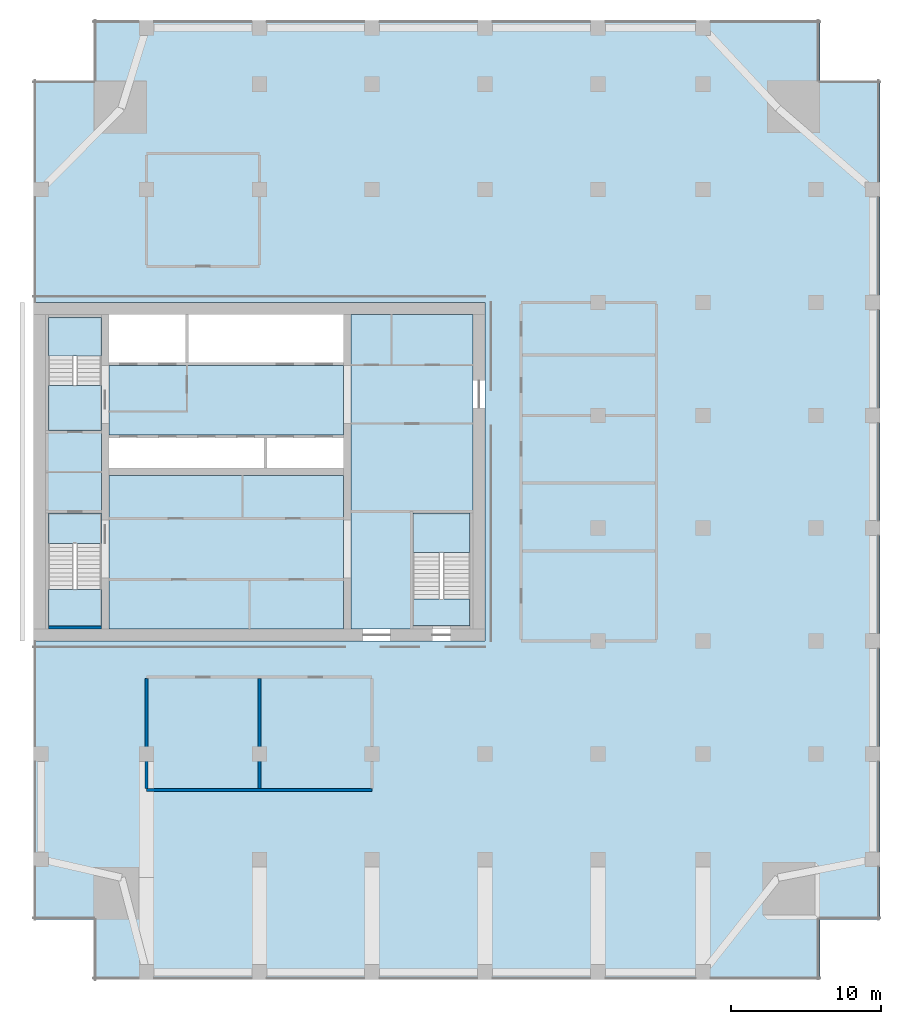
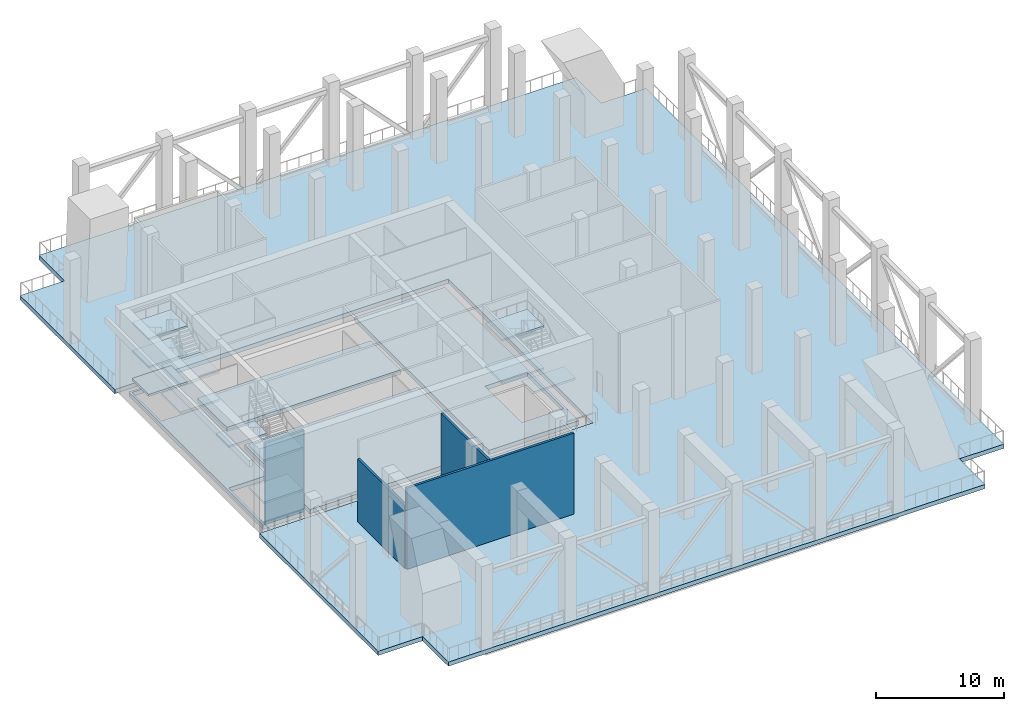
# One storey, part 2 of 12: 16 slabs, 4 walls, 3 elements without a shape of their own.
"""IFC4 building model written with IfcOpenShell, lengths in metres."""

from ifc_helpers import new_model, si_unit, direction, frame, frame_2d, origin, place, context, subcontext, project, spatial, polyline, rectangle, outline, extrude, material, layer, layer_set, type_object, element, aggregate, save


model = new_model("IFC4")

# Units and contexts
model_context = context("Model", 3, precision=1e-05, world=origin(), true_north=direction((0.0, 1.0)))
body_context = subcontext(model_context, "Body", "Model", "MODEL_VIEW")
ifc_project = project(units=[si_unit("LENGTHUNIT", "METRE"), si_unit("AREAUNIT", "SQUARE_METRE"), si_unit("VOLUMEUNIT", "CUBIC_METRE"), si_unit("PLANEANGLEUNIT", "RADIAN"), si_unit("MASSUNIT", "GRAM", prefix="KILO")], contexts=[model_context])

# Site, building, storey
site_placement = place(None, origin())
site = spatial("IfcSite", under=ifc_project, at=site_placement, CompositionType="ELEMENT")
building_placement = place(site_placement, origin())
building = spatial("IfcBuilding", under=site, at=building_placement, Name="Tamorin Gate", CompositionType="ELEMENT")
storey_placement = place(building_placement, frame((0.0, 0.0, 166.199951171875)))
storey = spatial("IfcBuildingStorey", under=building, at=storey_placement, Name="L41", CompositionType="ELEMENT", Elevation=166.199951171875)

# Slabs
ifc_material_1 = material(Name="Concrete C40/50", Category="concrete")
ifc_layer_1 = layer(ifc_material_1, 0.409912109375)
ifc_layer_set_1 = layer_set([ifc_layer_1], Name="Core floor slab 410 C40/50")
slab_type_1 = type_object("IfcSlabType", Name="Core floor slab 410 C40/50", PredefinedType="FLOOR", material=ifc_layer_set_1)
slab_1_placement = place(storey_placement, frame((0.0, 0.0, -0.409912109375)))
element("IfcSlab", 1, at=slab_1_placement, inside=storey, type_object=slab_type_1, Name="Core floor L41", PredefinedType="FLOOR", context=body_context, shape_type="SweptSolid", body=[
    extrude(outline(polyline([(51.10009765625, 81.699951171875), (59.199951171875, 81.699951171875), (59.199951171875, 60.800048828125), (51.10009765625, 60.800048828125), (51.10009765625, 81.699951171875)]), holes=[polyline([(55.199951171875, 62.800048828125), (59.0, 62.800048828125), (59.0, 68.5), (55.199951171875, 68.5), (55.199951171875, 62.800048828125)])]), origin(), (0.0, 0.0, 1.0), 0.409912109375),
])
slab_2_placement = place(storey_placement, frame((0.0, 0.0, -0.409912109375)))
element("IfcSlab", 2, at=slab_2_placement, inside=storey, type_object=slab_type_1, Name="Core floor L41", PredefinedType="FLOOR", context=body_context, shape_type="SweptSolid", body=[
    extrude(outline(polyline([(50.60009765625, 71.0), (50.60009765625, 60.800048828125), (35.0, 60.800048828125), (35.0, 71.0), (50.60009765625, 71.0)])), origin(), (0.0, 0.0, 1.0), 0.409912109375),
])
slab_3_placement = place(storey_placement, frame((0.0, 0.0, -0.409912109375)))
element("IfcSlab", 3, at=slab_3_placement, inside=storey, type_object=slab_type_1, Name="Core floor L41", PredefinedType="FLOOR", context=body_context, shape_type="SweptSolid", body=[
    extrude(outline(polyline([(50.60009765625, 73.699951171875), (35.0, 73.699951171875), (35.0, 78.300048828125), (50.60009765625, 78.300048828125), (50.60009765625, 73.699951171875)])), origin(), (0.0, 0.0, 1.0), 0.409912109375),
])
slab_4_placement = place(storey_placement, frame((0.0, 0.0, -0.409912109375)))
element("IfcSlab", 4, at=slab_4_placement, inside=storey, type_object=slab_type_1, Name="Core floor L41", PredefinedType="FLOOR", context=body_context, shape_type="SweptSolid", body=[
    extrude(outline(polyline([(34.5, 60.800048828125), (30.800048828125, 60.800048828125), (30.800048828125, 81.699951171875), (34.5, 81.699951171875), (34.5, 81.5), (31.0, 81.5), (31.0, 77.0), (34.5, 77.0), (34.5, 66.5), (31.0, 66.5), (31.0, 61.0), (34.5, 61.0), (34.5, 60.800048828125)])), origin(), (0.0, 0.0, 1.0), 0.409912109375),
])

# Stair, slabs
stair_type = type_object("IfcStairType", Name="Exit stair", PredefinedType="HALF_TURN_STAIR", material=ifc_material_1)
stair_1_placement = place(storey_placement, origin())
stair_1 = element("IfcStair", 5, at=stair_1_placement, inside=storey, type_object=stair_type, Name="L41 stair ST1", PredefinedType="HALF_TURN_STAIR")
ifc_layer_2 = layer(ifc_material_1, 0.199951171875)
ifc_layer_set_2 = layer_set([ifc_layer_2], Name="Exit stair landing 200")
slab_type_2 = type_object("IfcSlabType", Name="Exit stair landing 200", PredefinedType="LANDING", material=ifc_layer_set_2)
slab_5_placement = place(storey_placement, frame((0.0, 0.0, 1.800048828125)))
slab_5 = element("IfcSlab", 6, at=slab_5_placement, type_object=slab_type_2, Name="ST1 landing 1", PredefinedType="LANDING", context=body_context, shape_type="SweptSolid", body=[
    extrude(outline(polyline([(31.0, 63.419921875), (31.0, 61.0), (34.5, 61.0), (34.5, 63.419921875), (31.0, 63.419921875)])), origin(), (0.0, 0.0, 1.0), 0.199951171875),
])
slab_6_placement = place(storey_placement, frame((0.0, 0.0, 3.800048828125)))
slab_6 = element("IfcSlab", 7, at=slab_6_placement, type_object=slab_type_2, Name="ST1 landing 2", PredefinedType="LANDING", context=body_context, shape_type="SweptSolid", body=[
    extrude(outline(polyline([(31.0, 68.5), (31.0, 66.5), (34.5, 66.5), (34.5, 68.5), (31.0, 68.5)])), origin(), (0.0, 0.0, 1.0), 0.199951171875),
])
slab_7_placement = place(storey_placement, frame((0.0, 0.0, 5.800048828125)))
slab_7 = element("IfcSlab", 8, at=slab_7_placement, type_object=slab_type_2, Name="ST1 landing 3", PredefinedType="LANDING", context=body_context, shape_type="SweptSolid", body=[
    extrude(outline(polyline([(31.0, 63.419921875), (31.0, 61.0), (34.5, 61.0), (34.5, 63.419921875), (31.0, 63.419921875)])), origin(), (0.0, 0.0, 1.0), 0.199951171875),
])
aggregate(stair_1, [slab_5, slab_6, slab_7])

stair_2_placement = place(storey_placement, origin())
stair_2 = element("IfcStair", 9, at=stair_2_placement, inside=storey, type_object=stair_type, Name="L41 stair ST2", PredefinedType="HALF_TURN_STAIR")
slab_8_placement = place(storey_placement, frame((0.0, 0.0, 1.13330078125)))
slab_8 = element("IfcSlab", 10, at=slab_8_placement, type_object=slab_type_2, Name="ST2 landing 1", PredefinedType="LANDING", context=body_context, shape_type="SweptSolid", body=[
    extrude(outline(polyline([(34.5, 78.9599609375), (34.5, 81.5), (31.0, 81.5), (31.0, 78.9599609375), (34.5, 78.9599609375)])), origin(), (0.0, 0.0, 1.0), 0.2001953125),
])
slab_9_placement = place(storey_placement, frame((0.0, 0.0, 2.466796875)))
slab_9 = element("IfcSlab", 11, at=slab_9_placement, type_object=slab_type_2, Name="ST2 landing 2", PredefinedType="LANDING", context=body_context, shape_type="SweptSolid", body=[
    extrude(outline(polyline([(34.5, 74.0), (34.5, 77.0), (31.0, 77.0), (31.0, 74.0), (34.5, 74.0)])), origin(), (0.0, 0.0, 1.0), 0.199951171875),
])
slab_10_placement = place(storey_placement, frame((0.0, 0.0, 3.800048828125)))
slab_10 = element("IfcSlab", 12, at=slab_10_placement, type_object=slab_type_2, Name="ST2 landing 3", PredefinedType="LANDING", context=body_context, shape_type="SweptSolid", body=[
    extrude(outline(polyline([(34.5, 78.9599609375), (34.5, 81.5), (31.0, 81.5), (31.0, 78.9599609375), (34.5, 78.9599609375)])), origin(), (0.0, 0.0, 1.0), 0.199951171875),
])
slab_11_placement = place(storey_placement, frame((0.0, 0.0, 5.13330078125)))
slab_11 = element("IfcSlab", 13, at=slab_11_placement, type_object=slab_type_2, Name="ST2 landing 4", PredefinedType="LANDING", context=body_context, shape_type="SweptSolid", body=[
    extrude(outline(polyline([(34.5, 74.0), (34.5, 77.0), (31.0, 77.0), (31.0, 74.0), (34.5, 74.0)])), origin(), (0.0, 0.0, 1.0), 0.2001953125),
])
slab_12_placement = place(storey_placement, frame((0.0, 0.0, 6.466796875)))
slab_12 = element("IfcSlab", 14, at=slab_12_placement, type_object=slab_type_2, Name="ST2 landing 5", PredefinedType="LANDING", context=body_context, shape_type="SweptSolid", body=[
    extrude(outline(polyline([(34.5, 78.9599609375), (34.5, 81.5), (31.0, 81.5), (31.0, 78.9599609375), (34.5, 78.9599609375)])), origin(), (0.0, 0.0, 1.0), 0.199951171875),
])
aggregate(stair_2, [slab_8, slab_9, slab_10, slab_11, slab_12])

stair_3_placement = place(storey_placement, origin())
stair_3 = element("IfcStair", 15, at=stair_3_placement, inside=storey, type_object=stair_type, Name="L41 stair ST3", PredefinedType="HALF_TURN_STAIR")
slab_13_placement = place(storey_placement, frame((0.0, 0.0, 1.800048828125)))
slab_13 = element("IfcSlab", 16, at=slab_13_placement, type_object=slab_type_2, Name="ST3 landing 1", PredefinedType="LANDING", context=body_context, shape_type="SweptSolid", body=[
    extrude(outline(polyline([(59.0, 65.8798828125), (59.0, 68.5), (55.199951171875, 68.5), (55.199951171875, 65.8798828125), (59.0, 65.8798828125)])), origin(), (0.0, 0.0, 1.0), 0.199951171875),
])
slab_14_placement = place(storey_placement, frame((0.0, 0.0, 3.800048828125)))
slab_14 = element("IfcSlab", 17, at=slab_14_placement, type_object=slab_type_2, Name="ST3 landing 2", PredefinedType="LANDING", context=body_context, shape_type="SweptSolid", body=[
    extrude(outline(polyline([(59.0, 61.0), (59.0, 62.800048828125), (55.199951171875, 62.800048828125), (55.199951171875, 61.0), (59.0, 61.0)])), origin(), (0.0, 0.0, 1.0), 0.199951171875),
])
slab_15_placement = place(storey_placement, frame((0.0, 0.0, 5.800048828125)))
slab_15 = element("IfcSlab", 18, at=slab_15_placement, type_object=slab_type_2, Name="ST3 landing 3", PredefinedType="LANDING", context=body_context, shape_type="SweptSolid", body=[
    extrude(outline(polyline([(59.0, 65.8798828125), (59.0, 68.5), (55.199951171875, 68.5), (55.199951171875, 65.8798828125), (59.0, 65.8798828125)])), origin(), (0.0, 0.0, 1.0), 0.199951171875),
])
aggregate(stair_3, [slab_13, slab_14, slab_15])

# Slab
ifc_material_2 = material(Name="Concrete C45/55", Category="concrete")
ifc_layer_3 = layer(ifc_material_2, 0.39990234375)
ifc_layer_set_3 = layer_set([ifc_layer_3], Name="Floor slab 400 C45/55")
slab_type_3 = type_object("IfcSlabType", Name="Floor slab 400 C45/55", PredefinedType="FLOOR", material=ifc_layer_set_3)
slab_16_placement = place(storey_placement, frame((0.0, 0.0, -0.39990234375)))
element("IfcSlab", 19, at=slab_16_placement, inside=storey, type_object=slab_type_3, Name="Floor L41", PredefinedType="FLOOR", context=body_context, shape_type="SweptSolid", body=[
    extrude(outline(polyline([(30.0, 97.25), (34.0, 97.25), (34.0, 101.25), (82.25, 101.25), (82.25, 97.25), (86.25, 97.25), (86.25, 41.5), (82.25, 41.5), (82.25, 37.5), (34.0, 37.5), (34.0, 41.5), (30.0, 41.5), (30.0, 60.0), (60.0, 60.0), (60.0, 82.5), (30.0, 82.5), (30.0, 97.25)])), origin(), (0.0, 0.0, 1.0), 0.39990234375),
])

# Walls
ifc_material_3 = material(Name="Gypsum board partition")
ifc_layer_4 = layer(ifc_material_3, 0.199951171875)
ifc_layer_set_4 = layer_set([ifc_layer_4], Name="Plant and refuge wall 200")
wall_type_1 = type_object("IfcWallType", Name="Plant and refuge wall 200", PredefinedType="PARTITIONING", material=ifc_layer_set_4)
wall_1_placement = place(storey_placement, frame((37.5, 50.10009765625, 0.0), z_axis=(0.0, 0.0, 1.0), x_axis=(1.0, 0.0, 0.0)))
element("IfcWall", 20, at=wall_1_placement, inside=storey, type_object=wall_type_1, Name="Plant and refuge wall 200", PredefinedType="PARTITIONING", context=body_context, shape_type="SweptSolid", body=[
    extrude(rectangle(XDim=15.0, YDim=0.199951171875, at=frame_2d((7.5, 0.0))), origin(), (0.0, 0.0, 1.0), 7.699951171875),
])
wall_2_placement = place(storey_placement, frame((37.5, 50.199951171875, 0.0), z_axis=(0.0, 0.0, 1.0), x_axis=(0.0, 1.0, 0.0)))
element("IfcWall", 21, at=wall_2_placement, inside=storey, type_object=wall_type_1, Name="Plant and refuge wall 200", PredefinedType="PARTITIONING", context=body_context, shape_type="SweptSolid", body=[
    extrude(rectangle(XDim=7.300048828125, YDim=0.199951171875, at=frame_2d((3.64990234375, 0.0))), origin(), (0.0, 0.0, 1.0), 6.0),
])
wall_3_placement = place(storey_placement, frame((45.0, 50.199951171875, 0.0), z_axis=(0.0, 0.0, 1.0), x_axis=(0.0, 1.0, 0.0)))
element("IfcWall", 22, at=wall_3_placement, inside=storey, type_object=wall_type_1, Name="Plant and refuge wall 200", PredefinedType="PARTITIONING", context=body_context, shape_type="SweptSolid", body=[
    extrude(rectangle(XDim=7.300048828125, YDim=0.199951171875, at=frame_2d((3.64990234375, 0.0))), origin(), (0.0, 0.0, 1.0), 7.699951171875),
])
ifc_material_4 = material(Name="Concrete C60/75", Category="concrete")
ifc_layer_5 = layer(ifc_material_4, 0.199951171875)
ifc_layer_set_5 = layer_set([ifc_layer_5], Name="Stair lining wall 200 EI 120 C60/75")
wall_type_2 = type_object("IfcWallType", Name="Stair lining wall 200 EI 120 C60/75", PredefinedType="SOLIDWALL", material=ifc_layer_set_5)
wall_4_placement = place(storey_placement, frame((31.0, 60.89990234375, 0.0), z_axis=(0.0, 0.0, 1.0), x_axis=(1.0, 0.0, 0.0)))
element("IfcWall", 23, at=wall_4_placement, inside=storey, type_object=wall_type_2, Name="Stair lining wall", PredefinedType="SOLIDWALL", context=body_context, shape_type="SweptSolid", body=[
    extrude(rectangle(XDim=3.5, YDim=0.199951171875, at=frame_2d((1.75, 0.0))), origin(), (0.0, 0.0, 1.0), 7.699951171875),
])

save(model, "model.ifc")
